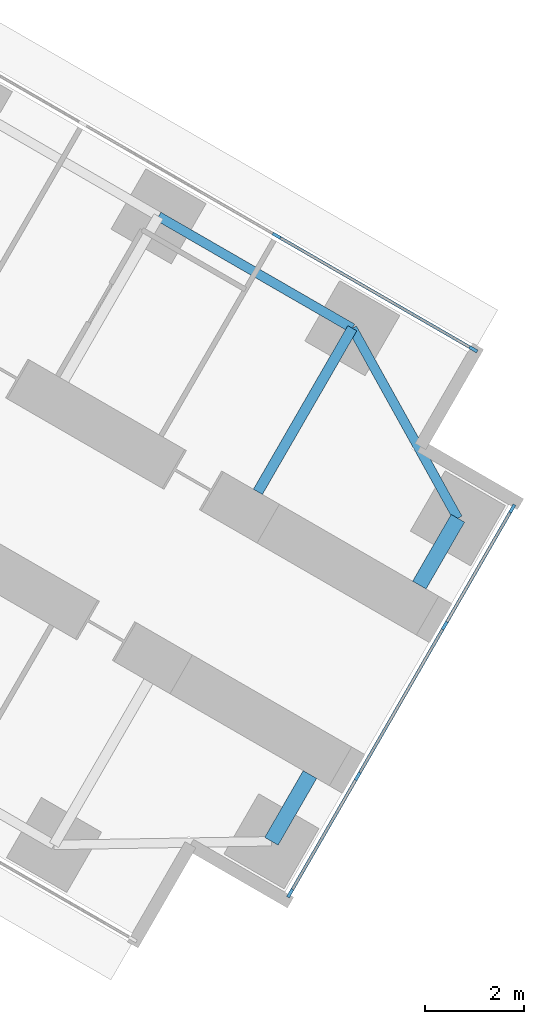
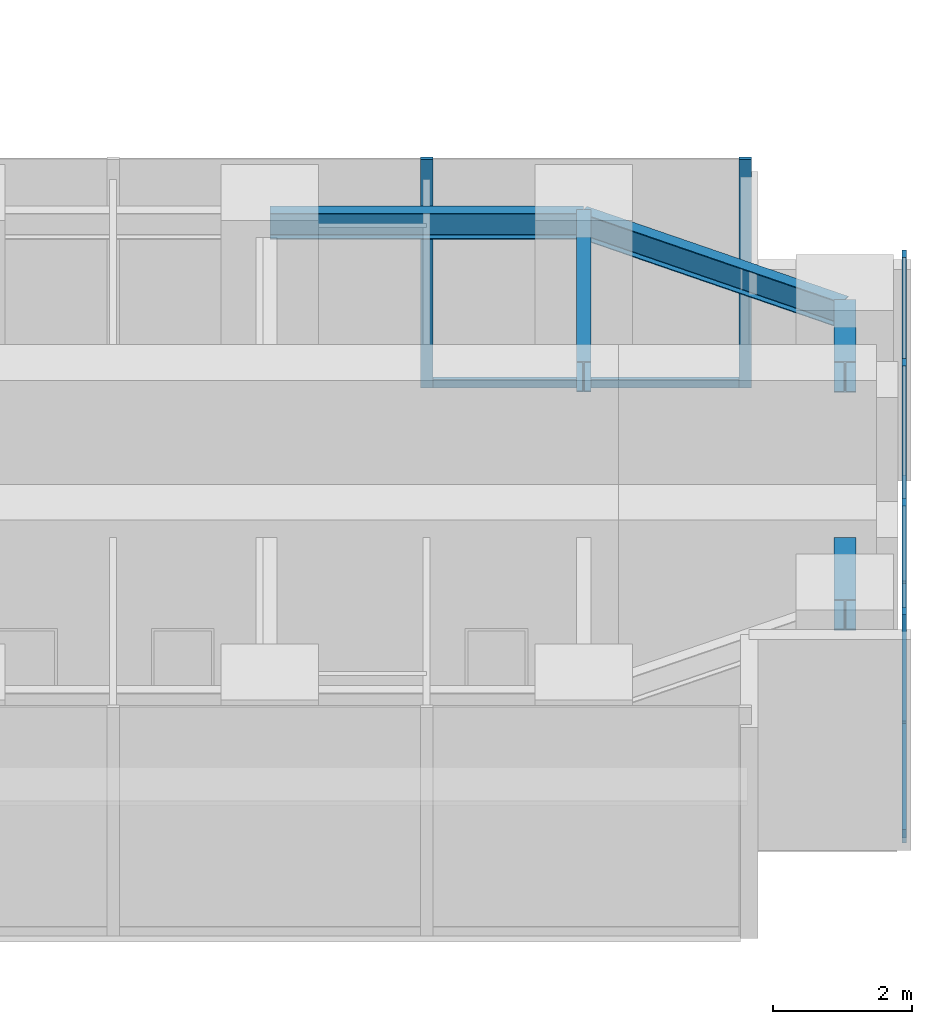
# One storey, part 12 of 25: 10 members, 5 beams, 2 elements without a shape of their own.
"""IFC4 building model written with IfcOpenShell, lengths in metres."""

from ifc_helpers import new_model, si_unit, direction, frame, origin, origin_2d, place, context, subcontext, project, spatial, rectangle, i_section, extrude, material, material_profile, profile_set, type_object, element, aggregate, save


model = new_model("IFC4")

# Units and contexts
model_context = context("Model", 3, precision=1e-05, world=origin(), true_north=direction((0.0, 1.0)))
body_context = subcontext(model_context, "Body", "Model", "MODEL_VIEW")
ifc_project = project(units=[si_unit("LENGTHUNIT", "METRE"), si_unit("AREAUNIT", "SQUARE_METRE"), si_unit("VOLUMEUNIT", "CUBIC_METRE"), si_unit("PLANEANGLEUNIT", "RADIAN"), si_unit("MASSUNIT", "GRAM", prefix="KILO")], contexts=[model_context])

# Site, building, storey
site_placement = place(None, origin())
site = spatial("IfcSite", under=ifc_project, at=site_placement, CompositionType="ELEMENT")
building_placement = place(site_placement, origin())
building = spatial("IfcBuilding", under=site, at=building_placement, Name="Upepo Twin Towers", CompositionType="ELEMENT")
storey_placement = place(building_placement, frame((0.0, 0.0, 88.5)))
storey = spatial("IfcBuildingStorey", under=building, at=storey_placement, Name="L21", CompositionType="ELEMENT", Elevation=88.5)

# Beams
ifc_material_1 = material(Name="Steel S355", Category="steel")
ifc_material_profile_1 = material_profile(ifc_material_1, i_section(OverallWidth=0.1904296875, OverallDepth=0.45703125, WebThickness=0.009033203125, FlangeThickness=0.014404296875, FilletRadius=0.01025390625, at=origin_2d()), Name="UB 457x191x74")
ifc_profile_set_1 = profile_set([ifc_material_profile_1], Name="Steel S355")
beam_type_1 = type_object("IfcBeamType", Name="Beam UB 457x191x74", PredefinedType="BEAM", material=ifc_profile_set_1)
beam_1_placement = place(storey_placement, frame((77.08837890625, -21.803955078125, 3.471435546875), z_axis=(0.866031096941, -0.499990139034, 0.0), x_axis=(0.499990139034, 0.866031096941, 0.0)))
element("IfcBeam", 1, at=beam_1_placement, inside=storey, type_object=beam_type_1, Name="T2 edge beam CL 18.0-22.5", PredefinedType="BEAM", context=body_context, shape_type="SweptSolid", body=[
    extrude(i_section(OverallWidth=0.1904296875, OverallDepth=0.45703125, WebThickness=0.009033203125, FlangeThickness=0.014404296875, FilletRadius=0.01025390625, at=origin_2d()), origin(), (0.0, 0.0, 1.0), 4.5),
])
beam_2_placement = place(storey_placement, frame((80.985595703125, -24.053955078125, 3.471435546875), z_axis=(0.485363242752, -0.874312600038, 0.0), x_axis=(0.874312600038, 0.485363242752, 0.0)))
element("IfcBeam", 2, at=beam_2_placement, inside=storey, type_object=beam_type_1, Name="T2 nose edge beam CL", PredefinedType="BEAM", context=body_context, shape_type="SweptSolid", body=[
    extrude(i_section(OverallWidth=0.1904296875, OverallDepth=0.45703125, WebThickness=0.009033203125, FlangeThickness=0.014404296875, FilletRadius=0.01025390625, at=origin_2d()), origin(), (0.0, 0.0, 1.0), 4.373046875),
])
ifc_material_2 = material(Name="Steel S355", Category="steel")
ifc_material_profile_2 = material_profile(ifc_material_2, i_section(OverallWidth=0.209228515625, OverallDepth=0.533203125, WebThickness=0.010009765625, FlangeThickness=0.015625, FilletRadius=0.0126953125, at=origin_2d()), Name="UB 533x210x92")
ifc_profile_set_2 = profile_set([ifc_material_profile_2], Name="Steel S355")
beam_type_2 = type_object("IfcBeamType", Name="Beam UB 533x210x92", PredefinedType="BEAM", material=ifc_profile_set_2)
beam_3_placement = place(storey_placement, frame((80.985595703125, -24.053955078125, 3.433349609375), z_axis=(-0.499994975061, -0.866028304915, 0.0), x_axis=(0.866028304915, -0.499994975061, 0.0)))
element("IfcBeam", 3, at=beam_3_placement, inside=storey, type_object=beam_type_2, Name="T2 girder CL at 22.5", PredefinedType="BEAM", context=body_context, shape_type="SweptSolid", body=[
    extrude(i_section(OverallWidth=0.209228515625, OverallDepth=0.533203125, WebThickness=0.010009765625, FlangeThickness=0.015625, FilletRadius=0.0126953125, at=origin_2d()), origin(), (0.0, 0.0, 1.0), 3.7998046875),
])
ifc_material_3 = material(Name="Steel S355", Category="steel")
ifc_material_profile_3 = material_profile(ifc_material_3, i_section(OverallWidth=0.31201171875, OverallDepth=0.54345703125, WebThickness=0.0126953125, FlangeThickness=0.020263671875, FilletRadius=0.0126953125, at=origin_2d()), Name="UB 533x312x150")
ifc_profile_set_3 = profile_set([ifc_material_profile_3], Name="Steel S355")
beam_type_3 = type_object("IfcBeamType", Name="Beam UB 533x312x150", PredefinedType="BEAM", material=ifc_profile_set_3)
for number, where, z_axis, x_axis, name in (
    (4, (83.108154296875, -27.87744140625, 3.42822265625), (-0.499967891604, -0.866043940782, 0.0), (0.866043940782, -0.499967891604, 0.0), "T2 nose beam CL"),
    (5, (79.358154296875, -34.37255859375, 3.42822265625), (0.499967891604, 0.866043940782, 0.0), (-0.866043940782, 0.499967891604, 0.0), "T2 nose beam CR"),
):
    element("IfcBeam", number, at=place(storey_placement, frame(where, z_axis=z_axis, x_axis=x_axis)), inside=storey, type_object=beam_type_3, Name=name, PredefinedType="BEAM", context=body_context, shape_type="SweptSolid", body=[
        extrude(i_section(OverallWidth=0.31201171875, OverallDepth=0.54345703125, WebThickness=0.0126953125, FlangeThickness=0.020263671875, FilletRadius=0.0126953125, at=origin_2d()), origin(), (0.0, 0.0, 1.0), 1.5498046875),
    ])

# Curtain wall, members
ifc_material_4 = material(Name="Aluminium and fritted glass", Category="aluminium")
curtain_wall_type = type_object("IfcCurtainWallType", Name="Tower curtain wall TW1, fritted glass", PredefinedType="NOTDEFINED", material=ifc_material_4)
curtain_wall_1_placement = place(storey_placement, origin())
curtain_wall_1 = element("IfcCurtainWall", 6, at=curtain_wall_1_placement, inside=storey, type_object=curtain_wall_type, Name="T2 L21 wing C flank L curtain wall", PredefinedType="NOTDEFINED")
ifc_material_5 = material(Name="Aluminium mullion", Category="aluminium")
ifc_material_profile_4 = material_profile(ifc_material_5, rectangle(XDim=0.06494140625, YDim=0.179931640625, at=origin_2d()), Name="MULLION 65x180")
ifc_profile_set_4 = profile_set([ifc_material_profile_4], Name="Aluminium mullion")
member_type_1 = type_object("IfcMemberType", Name="Mullion 65x180 TW1", PredefinedType="MULLION", material=ifc_profile_set_4)
member_1_placement = place(storey_placement, frame((79.4619140625, -22.192626953125, 0.0), z_axis=(0.0, 0.0, 1.0), x_axis=(0.500000024426, 0.866025389682, 0.0)))
member_1 = element("IfcMember", 7, at=member_1_placement, type_object=member_type_1, Name="T2 L21 wing C flank L curtain wall mullion 3", PredefinedType="MULLION", context=body_context, shape_type="SweptSolid", body=[
    extrude(rectangle(XDim=0.06494140625, YDim=0.179931640625, at=origin_2d()), origin(), (0.0, 0.0, 1.0), 4.0),
])
member_2_placement = place(storey_placement, frame((83.41748046875, -24.4765625, 0.0), z_axis=(0.0, 0.0, 1.0), x_axis=(0.500000024426, 0.866025389682, 0.0)))
member_2 = element("IfcMember", 8, at=member_2_placement, type_object=member_type_1, Name="T2 L21 wing C flank L curtain wall mullion 4", PredefinedType="MULLION", context=body_context, shape_type="SweptSolid", body=[
    extrude(rectangle(XDim=0.06494140625, YDim=0.179931640625, at=origin_2d()), origin(), (0.0, 0.0, 1.0), 4.0),
])

curtain_wall_2_placement = place(storey_placement, origin())
curtain_wall_2 = element("IfcCurtainWall", 9, at=curtain_wall_2_placement, inside=storey, type_object=curtain_wall_type, Name="T2 L21 wing C nose curtain wall", PredefinedType="NOTDEFINED")
member_3_placement = place(storey_placement, frame((79.735595703125, -35.4189453125, 0.0), z_axis=(0.0, 0.0, 1.0), x_axis=(-0.866025386174, 0.500000030502, 0.0)))
member_3 = element("IfcMember", 10, at=member_3_placement, type_object=member_type_1, Name="T2 L21 wing C nose curtain wall mullion 1", PredefinedType="MULLION", context=body_context, shape_type="SweptSolid", body=[
    extrude(rectangle(XDim=0.06494140625, YDim=0.179931640625, at=origin_2d()), origin(), (0.0, 0.0, 1.0), 4.0),
])
member_4_placement = place(storey_placement, frame((81.09423828125, -33.0654296875, 0.0), z_axis=(0.0, 0.0, 1.0), x_axis=(-0.866025386174, 0.500000030502, 0.0)))
member_4 = element("IfcMember", 11, at=member_4_placement, type_object=member_type_1, Name="T2 L21 wing C nose curtain wall mullion 2", PredefinedType="MULLION", context=body_context, shape_type="SweptSolid", body=[
    extrude(rectangle(XDim=0.06494140625, YDim=0.179931640625, at=origin_2d()), origin(), (0.0, 0.0, 1.0), 4.0),
])
member_5_placement = place(storey_placement, frame((82.84423828125, -30.034423828125, 0.0), z_axis=(0.0, 0.0, 1.0), x_axis=(-0.866025386174, 0.500000030502, 0.0)))
member_5 = element("IfcMember", 12, at=member_5_placement, type_object=member_type_1, Name="T2 L21 wing C nose curtain wall mullion 3", PredefinedType="MULLION", context=body_context, shape_type="SweptSolid", body=[
    extrude(rectangle(XDim=0.06494140625, YDim=0.179931640625, at=origin_2d()), origin(), (0.0, 0.0, 1.0), 4.0),
])
member_6_placement = place(storey_placement, frame((84.203125, -27.68115234375, 0.0), z_axis=(0.0, 0.0, 1.0), x_axis=(-0.866025386174, 0.500000030502, 0.0)))
member_6 = element("IfcMember", 13, at=member_6_placement, type_object=member_type_1, Name="T2 L21 wing C nose curtain wall mullion 4", PredefinedType="MULLION", context=body_context, shape_type="SweptSolid", body=[
    extrude(rectangle(XDim=0.06494140625, YDim=0.179931640625, at=origin_2d()), origin(), (0.0, 0.0, 1.0), 4.0),
])

# Member
ifc_material_6 = material(Name="Aluminium transom", Category="aluminium")
ifc_material_profile_5 = material_profile(ifc_material_6, rectangle(XDim=0.06494140625, YDim=0.14990234375, at=origin_2d()), Name="TRANSOM 65x150")
ifc_profile_set_5 = profile_set([ifc_material_profile_5], Name="Aluminium transom")
member_type_2 = type_object("IfcMemberType", Name="Transom 65x150 TW1", PredefinedType="USERDEFINED", material=ifc_profile_set_5)
member_7_placement = place(storey_placement, frame((79.490234375, -22.208984375, 0.074951171875), z_axis=(0.866022143554, -0.500005646842, 0.0), x_axis=(0.500005646842, 0.866022143554, 0.0)))
member_7 = element("IfcMember", 14, at=member_7_placement, type_object=member_type_2, Name="T2 L21 wing C flank L curtain wall transom 3", ObjectType="TRANSOM", PredefinedType="USERDEFINED", context=body_context, shape_type="SweptSolid", body=[
    extrude(rectangle(XDim=0.06494140625, YDim=0.14990234375, at=origin_2d()), origin(), (0.0, 0.0, 1.0), 4.50244140625),
])

aggregate(curtain_wall_1, [member_1, member_2, member_7])

member_8_placement = place(storey_placement, frame((79.751708984375, -35.390869140625, 0.074951171875), z_axis=(0.500049101008, 0.865997053448, 0.0), x_axis=(-0.865997053448, 0.500049101008, 0.0)))
member_8 = element("IfcMember", 15, at=member_8_placement, type_object=member_type_2, Name="T2 L21 wing C nose curtain wall transom 1", ObjectType="TRANSOM", PredefinedType="USERDEFINED", context=body_context, shape_type="SweptSolid", body=[
    extrude(rectangle(XDim=0.06494140625, YDim=0.14990234375, at=origin_2d()), origin(), (0.0, 0.0, 1.0), 2.652587890625),
])

member_9_placement = place(storey_placement, frame((81.110595703125, -33.037353515625, 0.074951171875), z_axis=(0.499999305434, 0.866025804792, 0.0), x_axis=(-0.866025804792, 0.499999305434, 0.0)))
member_9 = element("IfcMember", 16, at=member_9_placement, type_object=member_type_2, Name="T2 L21 wing C nose curtain wall transom 2", ObjectType="TRANSOM", PredefinedType="USERDEFINED", context=body_context, shape_type="SweptSolid", body=[
    extrude(rectangle(XDim=0.06494140625, YDim=0.14990234375, at=origin_2d()), origin(), (0.0, 0.0, 1.0), 3.43505859375),
])

member_10_placement = place(storey_placement, frame((82.860595703125, -30.00634765625, 0.074951171875), z_axis=(0.499980071345, 0.866036909293, 0.0), x_axis=(-0.866036909293, 0.499980071345, 0.0)))
member_10 = element("IfcMember", 17, at=member_10_placement, type_object=member_type_2, Name="T2 L21 wing C nose curtain wall transom 3", ObjectType="TRANSOM", PredefinedType="USERDEFINED", context=body_context, shape_type="SweptSolid", body=[
    extrude(rectangle(XDim=0.06494140625, YDim=0.14990234375, at=origin_2d()), origin(), (0.0, 0.0, 1.0), 2.65234375),
])

aggregate(curtain_wall_2, [member_3, member_4, member_5, member_6, member_8, member_9, member_10])

save(model, "model.ifc")
